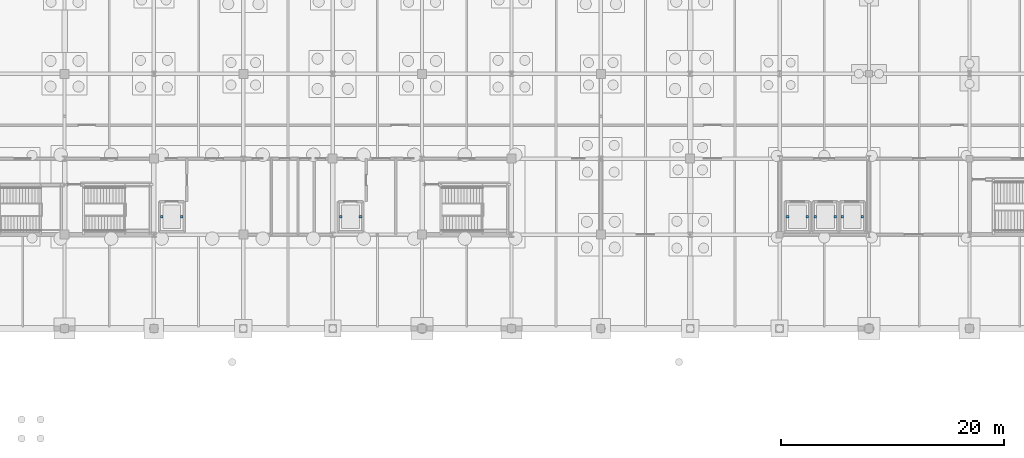
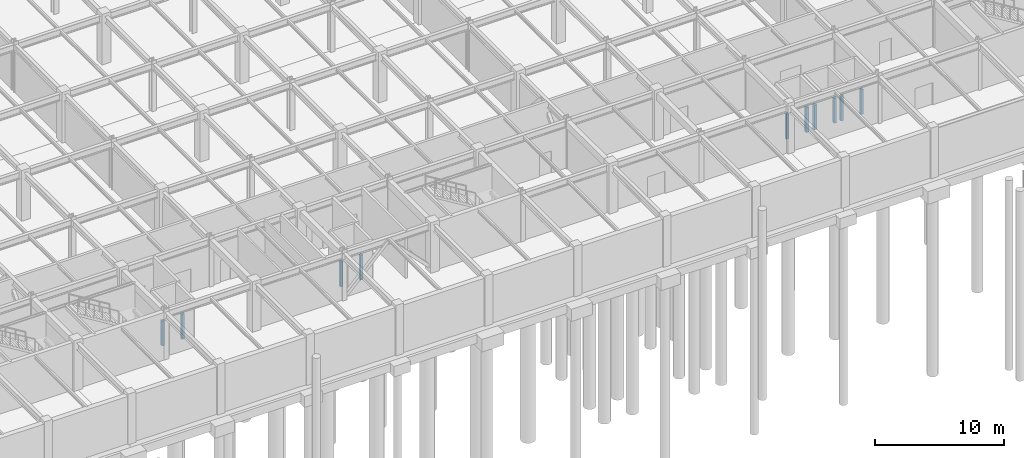
# One storey, part 49 of 53: 10 discrete accessories.
"""IFC4 building model written with IfcOpenShell, lengths in metres."""

from ifc_helpers import new_model, si_unit, direction, frame, origin, origin_2d, place, context, subcontext, project, spatial, rectangle, extrude, material, type_object, element, save


model = new_model("IFC4")

# Units and contexts
model_context = context("Model", 3, precision=1e-05, world=origin(), true_north=direction((0.0, 1.0)))
body_context = subcontext(model_context, "Body", "Model", "MODEL_VIEW")
ifc_project = project(units=[si_unit("LENGTHUNIT", "METRE"), si_unit("AREAUNIT", "SQUARE_METRE"), si_unit("VOLUMEUNIT", "CUBIC_METRE"), si_unit("PLANEANGLEUNIT", "RADIAN"), si_unit("MASSUNIT", "GRAM", prefix="KILO")], contexts=[model_context])

# Site, building, storey
site_placement = place(None, origin())
site = spatial("IfcSite", under=ifc_project, at=site_placement, CompositionType="ELEMENT")
building_placement = place(site_placement, origin())
building = spatial("IfcBuilding", under=site, at=building_placement, Name="Shalkamar Park Central Library", CompositionType="ELEMENT")
storey_placement = place(building_placement, frame((0.0, 0.0, -4.800048828125)))
storey = spatial("IfcBuildingStorey", under=building, at=storey_placement, Name="B1", CompositionType="ELEMENT", Elevation=-4.800048828125)

# Discrete accessories
ifc_material = material(Name="Steel S355", Category="steel")
discrete_accessory_type = type_object("IfcDiscreteAccessoryType", Name="Lift Guide Rail Bracket", PredefinedType="BRACKET", material=ifc_material)
for number, where, z_axis, x_axis, name in (
    (1, (173.7099609375, 250.0, 0.02001953125), (0.0, 0.0, 1.0), (1.0, 0.0, 0.0), "Lift FFL-01 Guide Rail Assembly (W)"),
    (2, (175.489990234375, 250.0, 0.02001953125), (0.0, 0.0, 1.0), (1.0, 0.0, 0.0), "Lift FFL-01 Guide Rail Assembly (E)"),
    (3, (189.7099609375, 250.0, 0.02001953125), (0.0, 0.0, 1.0), (1.0, 0.0, 0.0), "Lift FFL-02 Guide Rail Assembly (W)"),
    (4, (191.489990234375, 250.0, 0.02001953125), (0.0, 0.0, 1.0), (1.0, 0.0, 0.0), "Lift FFL-02 Guide Rail Assembly (E)"),
    (5, (229.7099609375, 250.0, 0.02001953125), (0.0, 0.0, 1.0), (1.0, 0.0, 0.0), "Lift LP-01 Guide Rail Assembly (W)"),
    (6, (231.489990234375, 250.0, 0.02001953125), (0.0, 0.0, 1.0), (1.0, 0.0, 0.0), "Lift LP-01 Guide Rail Assembly (E)"),
    (7, (232.2099609375, 250.0, 0.02001953125), (0.0, 0.0, 1.0), (1.0, 0.0, 0.0), "Lift LP-02 Guide Rail Assembly (W)"),
    (8, (233.989990234375, 250.0, 0.02001953125), (0.0, 0.0, 1.0), (1.0, 0.0, 0.0), "Lift LP-02 Guide Rail Assembly (E)"),
    (9, (234.610107421875, 250.0, 0.02001953125), (0.0, 0.0, 1.0), (1.0, 0.0, 0.0), "Lift LP-03 Guide Rail Assembly (W)"),
    (10, (236.389892578125, 250.0, 0.02001953125), (0.0, 0.0, 1.0), (1.0, 0.0, 0.0), "Lift LP-03 Guide Rail Assembly (E)"),
):
    element("IfcDiscreteAccessory", number, at=place(storey_placement, frame(where, z_axis=z_axis, x_axis=x_axis)), inside=storey, type_object=discrete_accessory_type, Name=name, PredefinedType="BRACKET", context=body_context, shape_type="SweptSolid", body=[
        extrude(rectangle(XDim=0.22998046875, YDim=0.239990234375, at=origin_2d()), origin(), (0.0, 0.0, 1.0), 2.360107421875),
    ])

save(model, "model.ifc")
